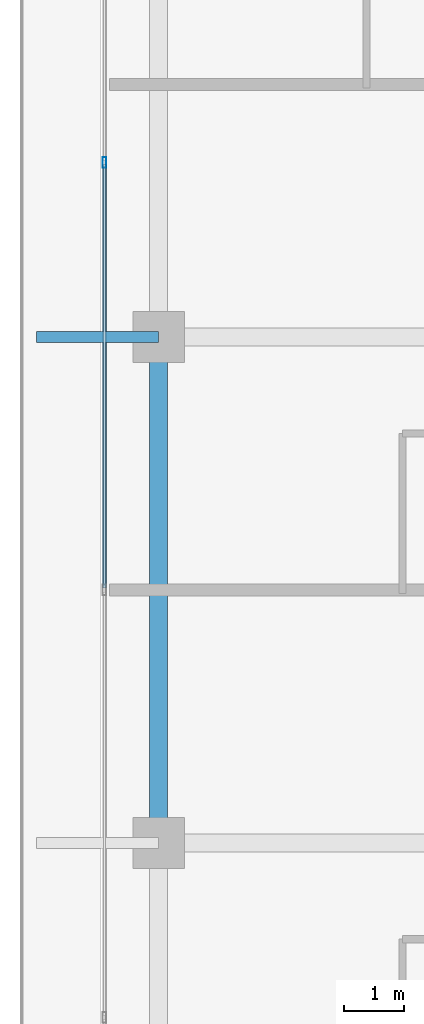
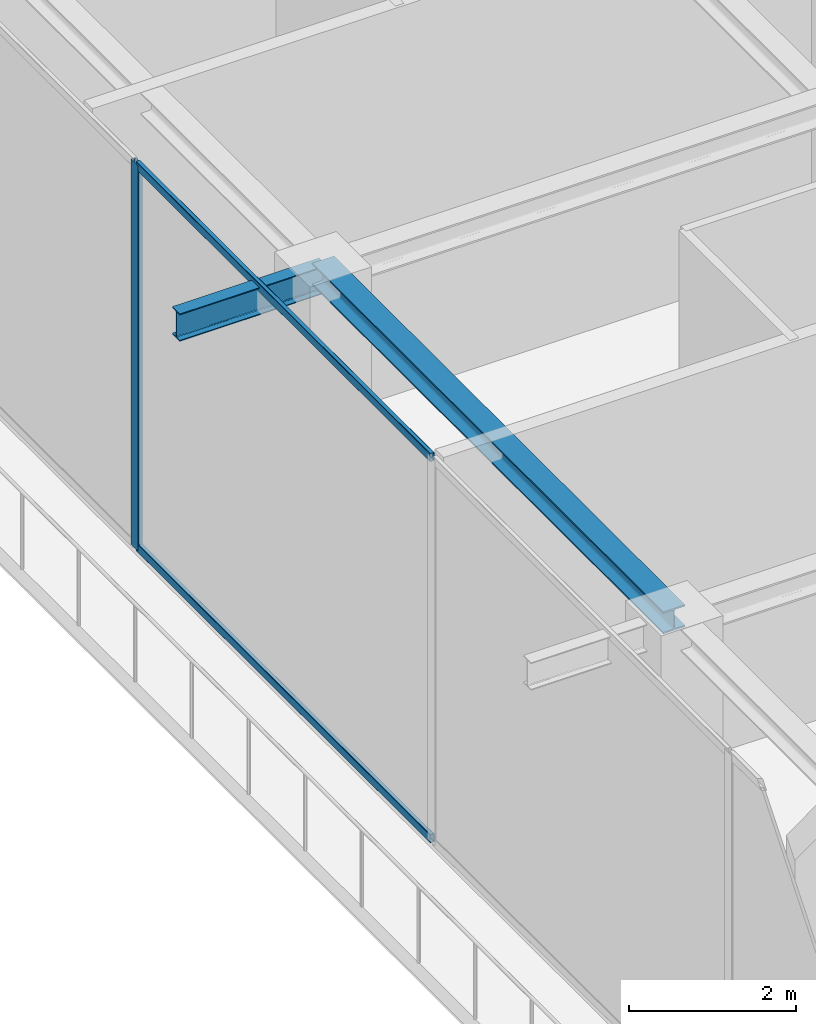
# One storey, part 9 of 38: 3 members, 2 beams, 1 element without a shape of its own.
"""IFC4 building model written with IfcOpenShell, lengths in metres."""

import ifcopenshell
import ifcopenshell.guid

model = None  # the IFC model being written
_history = None  # IfcOwnerHistory: only IFC2X3 demands one
_inside = {}  # id of a spatial element -> (the spatial element, [elements in it])
_under = {}  # id of a project, library or spatial element -> (it, [spatial elements below it])
_declared = {}  # id of a project -> (the project, [libraries it declares])
_typed = {}  # id of a type object -> (the type object, [elements of that type])
_made_of = {}  # id of a material, layer set ... -> (it, [elements and type objects made of it])


def new_model(schema):
    """Start an empty IFC model of exactly this schema.

    Asked for "IFC4X3", IfcOpenShell would pick the latest addendum, in which some entities
    have other attributes; the version numbers below select the first issue.
    IFC2X3 requires an IfcOwnerHistory on every rooted entity: one is made here for all.
    """
    global model, _history
    if schema == "IFC4X3":
        model = ifcopenshell.file(schema_version=(4, 3, 0, 0))
    else:
        model = ifcopenshell.file(schema=schema)
    _inside.clear()
    _under.clear()
    _declared.clear()
    _typed.clear()
    _made_of.clear()
    _history = None
    if model.schema == "IFC2X3":
        org = make("IfcOrganization", Name="unknown")
        user = make(
            "IfcPersonAndOrganization",
            ThePerson=make("IfcPerson", FamilyName="unknown"),
            TheOrganization=org,
        )
        app = make(
            "IfcApplication",
            ApplicationDeveloper=org,
            Version="unknown",
            ApplicationFullName="unknown",
            ApplicationIdentifier="unknown",
        )
        _history = make(
            "IfcOwnerHistory",
            OwningUser=user,
            OwningApplication=app,
            ChangeAction="ADDED",
            CreationDate=0,
        )
    return model


def make(cls, **values):
    """One entity of the class cls with the attributes given. An attribute that is None is left unset."""
    return model.create_entity(
        cls, **{name: value for name, value in values.items() if value is not None}
    )


def rooted(cls, **values):
    """An entity with a GlobalId (a new one), such as an element, a storey or a relation."""
    return make(cls, GlobalId=ifcopenshell.guid.new(), OwnerHistory=_history, **values)


def si_unit(unit_type, name, prefix=None):
    """IfcSIUnit, for example si_unit("LENGTHUNIT", "METRE", prefix="MILLI")."""
    return make("IfcSIUnit", UnitType=unit_type, Prefix=prefix, Name=name)


def assignment(units):
    """IfcUnitAssignment: the units of a project."""
    return None if units is None else make("IfcUnitAssignment", Units=units)


def point(xyz):
    """IfcCartesianPoint."""
    return None if xyz is None else make("IfcCartesianPoint", Coordinates=xyz)


def direction(xyz):
    """IfcDirection."""
    return None if xyz is None else make("IfcDirection", DirectionRatios=xyz)


def frame(location, z_axis=None, x_axis=None):
    """IfcAxis2Placement3D, a coordinate frame: its origin and axes. An axis left out is left unset."""
    return make(
        "IfcAxis2Placement3D",
        Location=point(location),
        Axis=direction(z_axis),
        RefDirection=direction(x_axis),
    )


def frame_2d(location, x_axis=None):
    """IfcAxis2Placement2D, a coordinate frame in the plane: its origin and x axis."""
    return make(
        "IfcAxis2Placement2D", Location=point(location), RefDirection=direction(x_axis)
    )


def origin():
    """The frame at (0, 0, 0) with its axes left unset."""
    return frame((0.0, 0.0, 0.0))


def origin_2d():
    """The frame at (0, 0) in the plane with its x axis left unset."""
    return frame_2d((0.0, 0.0))


def place(relative_to, where):
    """IfcLocalPlacement: puts the frame where relative to a parent placement (None: the world)."""
    return make(
        "IfcLocalPlacement", PlacementRelTo=relative_to, RelativePlacement=where
    )


def context(
    kind, dimensions, precision=None, world=None, true_north=None, identifier=None
):
    """IfcGeometricRepresentationContext, for example the 3D "Model" context."""
    return make(
        "IfcGeometricRepresentationContext",
        ContextIdentifier=identifier,
        ContextType=kind,
        CoordinateSpaceDimension=dimensions,
        Precision=precision,
        WorldCoordinateSystem=world,
        TrueNorth=true_north,
    )


def subcontext(parent, identifier, kind, view, scale=None):
    """IfcGeometricRepresentationSubContext, for example "Body" below "Model"."""
    return make(
        "IfcGeometricRepresentationSubContext",
        ContextIdentifier=identifier,
        ContextType=kind,
        ParentContext=parent,
        TargetScale=scale,
        TargetView=view,
    )


def project(units=None, contexts=None):
    """IfcProject with its units and contexts."""
    return rooted(
        "IfcProject",
        Name="project",
        RepresentationContexts=contexts,
        UnitsInContext=assignment(units),
    )


def spatial(cls, under=None, at=None, **own):
    """A site, building, storey or space (cls), placed at a placement, below another one or the project."""
    s = rooted(cls, ObjectPlacement=at, **own)
    if under is not None:
        _under.setdefault(under.id(), (under, []))[1].append(s)
    return s


def profile(cls, at=None, kind="AREA", **sizes):
    """A parametric profile (cls). Its sizes go by their IFC names, for example OverallWidth=200.0."""
    return make(cls, ProfileType=kind, Position=at, **sizes)


def hollow_rectangle(**sizes):
    """IfcRectangleHollowProfileDef."""
    return profile("IfcRectangleHollowProfileDef", **sizes)


def i_section(**sizes):
    """IfcIShapeProfileDef."""
    return profile("IfcIShapeProfileDef", **sizes)


def extrude(swept, where, along, depth):
    """IfcExtrudedAreaSolid: the profile swept, set in the frame where, extruded along a direction by depth."""
    return make(
        "IfcExtrudedAreaSolid",
        SweptArea=swept,
        Position=where,
        ExtrudedDirection=direction(along),
        Depth=depth,
    )


def shape(context_of_items, identifier, shape_type, items):
    """IfcShapeRepresentation: the items that make up one representation, for example the "Body"."""
    return make(
        "IfcShapeRepresentation",
        ContextOfItems=context_of_items,
        RepresentationIdentifier=identifier,
        RepresentationType=shape_type,
        Items=items,
    )


def source(mapping_origin, context_of_items, identifier, shape_type, items):
    """IfcRepresentationMap: a shape defined once, which mapped items show again and again."""
    return make(
        "IfcRepresentationMap",
        MappingOrigin=mapping_origin,
        MappedRepresentation=shape(context_of_items, identifier, shape_type, items),
    )


def transform(
    local_origin,
    x_axis=None,
    y_axis=None,
    z_axis=None,
    scale=None,
    scale2=None,
    scale3=None,
    uniform=True,
):
    """IfcCartesianTransformationOperator3D, or its non-uniform kind. x_axis, y_axis, z_axis: its Axis1, 2, 3."""
    if uniform:
        return make(
            "IfcCartesianTransformationOperator3D",
            Axis1=direction(x_axis),
            Axis2=direction(y_axis),
            LocalOrigin=point(local_origin),
            Scale=scale,
            Axis3=direction(z_axis),
        )
    return make(
        "IfcCartesianTransformationOperator3DnonUniform",
        Axis1=direction(x_axis),
        Axis2=direction(y_axis),
        LocalOrigin=point(local_origin),
        Scale=scale,
        Axis3=direction(z_axis),
        Scale2=scale2,
        Scale3=scale3,
    )


def mapped(mapping_source, mapping_target):
    """IfcMappedItem: shows the shape of a source again, moved by a transform."""
    return make(
        "IfcMappedItem", MappingSource=mapping_source, MappingTarget=mapping_target
    )


def material(Name=None, Category=None):
    """IfcMaterial."""
    return make("IfcMaterial", Name=Name, Category=Category)


def layer(
    of_material, thickness, ventilated=None, Name=None, Category=None, Priority=None
):
    """IfcMaterialLayer: one layer of a wall or slab, of a material (None: an air gap)."""
    return make(
        "IfcMaterialLayer",
        Material=of_material,
        LayerThickness=thickness,
        IsVentilated=ventilated,
        Name=Name,
        Category=Category,
        Priority=Priority,
    )


def layer_set(layers, Name=None):
    """IfcMaterialLayerSet."""
    return make("IfcMaterialLayerSet", MaterialLayers=layers, LayerSetName=Name)


def material_profile(
    of_material, cross_section, Name=None, Category=None, Priority=None
):
    """IfcMaterialProfile: a cross section and its material."""
    return make(
        "IfcMaterialProfile",
        Name=Name,
        Material=of_material,
        Profile=cross_section,
        Priority=Priority,
        Category=Category,
    )


def profile_set(profiles, Name=None, composite=None):
    """IfcMaterialProfileSet."""
    return make(
        "IfcMaterialProfileSet",
        Name=Name,
        MaterialProfiles=profiles,
        CompositeProfile=composite,
    )


def made_of(thing, what):
    """Note that an element or type object is made of a material, layer set ...; save() writes the relation."""
    if what is not None:
        _made_of.setdefault(what.id(), (what, []))[1].append(thing)
    return thing


def type_object(cls, material=None, **own):
    """A type object (cls), such as IfcWallType, which elements share."""
    return made_of(rooted(cls, **own), material)


def element(
    cls,
    number,
    at=None,
    inside=None,
    cuts=None,
    type_object=None,
    material=None,
    context=None,
    identifier="Body",
    shape_type=None,
    held_by="IfcProductDefinitionShape",
    body=None,
    shapes=None,
    **own,
):
    """One element of the class cls, such as IfcWall. Its Tag is "e" and its number.

    at: its placement. inside: the storey or other place that contains it. cuts: it is an
    opening in that element (IfcRelVoidsElement). A single representation is given by context,
    identifier, shape_type and body (its items); several are given by shapes. held_by: the class
    of the entity that holds the representations. save() writes the other relations.
    """
    e = rooted(cls, Tag="e%d" % number, ObjectPlacement=at, **own)
    if body is not None:
        shapes = [shape(context, identifier, shape_type, body)]
    if shapes is not None:
        e.Representation = make(held_by, Representations=shapes)
    if inside is not None:
        _inside.setdefault(inside.id(), (inside, []))[1].append(e)
    if cuts is not None:
        rooted(
            "IfcRelVoidsElement", RelatingBuildingElement=cuts, RelatedOpeningElement=e
        )
    if type_object is not None:
        _typed.setdefault(type_object.id(), (type_object, []))[1].append(e)
    return made_of(e, material)


def aggregate(whole, parts):
    """IfcRelAggregates: a whole, such as a stair, and the parts it consists of."""
    return rooted("IfcRelAggregates", RelatingObject=whole, RelatedObjects=parts)


def save(model, path):
    """Write the relations noted so far, then the file.

    IfcRelAggregates (storeys below a building ...), IfcRelContainedInSpatialStructure (elements
    in a storey), IfcRelDefinesByType, IfcRelAssociatesMaterial and IfcRelDeclares: one each for
    every whole, place, type object, material and project.
    """
    for whole, parts in _under.values():
        aggregate(whole, parts)
    for where, things in _inside.values():
        rooted(
            "IfcRelContainedInSpatialStructure",
            RelatedElements=things,
            RelatingStructure=where,
        )
    for kind, things in _typed.values():
        rooted("IfcRelDefinesByType", RelatedObjects=things, RelatingType=kind)
    for what, things in _made_of.values():
        rooted("IfcRelAssociatesMaterial", RelatedObjects=things, RelatingMaterial=what)
    for by, libraries in _declared.values():
        rooted("IfcRelDeclares", RelatingContext=by, RelatedDefinitions=libraries)
    model.write(path)


model = new_model("IFC4")

# Units and contexts
model_context = context("Model", 3, precision=1e-05, world=origin(), true_north=direction((0.0, 1.0)))
body_context = subcontext(model_context, "Body", "Model", "MODEL_VIEW")
ifc_project = project(units=[si_unit("LENGTHUNIT", "METRE"), si_unit("AREAUNIT", "SQUARE_METRE"), si_unit("VOLUMEUNIT", "CUBIC_METRE"), si_unit("PLANEANGLEUNIT", "RADIAN"), si_unit("MASSUNIT", "GRAM", prefix="KILO")], contexts=[model_context])

# Site, building, storey
site_placement = place(None, origin())
site = spatial("IfcSite", under=ifc_project, at=site_placement, CompositionType="ELEMENT")
building_placement = place(site_placement, origin())
building = spatial("IfcBuilding", under=site, at=building_placement, Name="Serunith Strait Residences", CompositionType="ELEMENT")
storey_placement = place(building_placement, frame((0.0, 0.0, 342.050048828125)))
storey = spatial("IfcBuildingStorey", under=building, at=storey_placement, Name="L85", CompositionType="ELEMENT", Elevation=342.050048828125)

# Beams
ifc_material_1 = material(Name="Steel S355J2", Category="steel")
ifc_material_profile_1 = material_profile(ifc_material_1, i_section(OverallWidth=0.300048828125, OverallDepth=0.320068359375, WebThickness=0.011474609375, FlangeThickness=0.0205078125, FilletRadius=0.027099609375, at=origin_2d()), Name="HEB 320")
ifc_profile_set_1 = profile_set([ifc_material_profile_1], Name="Steel S355J2")
beam_type_1 = type_object("IfcBeamType", Name="BM-HEB320", PredefinedType="BEAM", material=ifc_profile_set_1)
shared_shape_1 = source(origin(), body_context, "Body", "SweptSolid", [
    extrude(i_section(OverallWidth=0.300048828125, OverallDepth=0.320068359375, WebThickness=0.011474609375, FlangeThickness=0.0205078125, FilletRadius=0.027099609375, at=origin_2d()), origin(), (0.0, 0.0, 1.0), 8.39990234375),
])
beam_1_placement = place(storey_placement, frame((11.699951171875, 29.39990234375, 5.47705078125), z_axis=(0.0, -1.0, 0.0), x_axis=(1.0, 0.0, 0.0)))
element("IfcBeam", 1, at=beam_1_placement, inside=storey, type_object=beam_type_1, Name="L85 Perimeter Ring Beam 14", PredefinedType="BEAM", context=body_context, shape_type="MappedRepresentation", body=[
    mapped(shared_shape_1, transform((0.0, 0.0, 0.0), scale=1.0)),
])
ifc_material_profile_2 = material_profile(ifc_material_1, i_section(OverallWidth=0.179931640625, OverallDepth=0.39990234375, WebThickness=0.008544921875, FlangeThickness=0.013427734375, FilletRadius=0.02099609375, at=origin_2d()), Name="IPE 400")
ifc_profile_set_2 = profile_set([ifc_material_profile_2], Name="Steel S355J2")
beam_type_2 = type_object("IfcBeamType", Name="BM-IPE400", PredefinedType="JOIST", material=ifc_profile_set_2)
shared_shape_2 = source(origin(), body_context, "Body", "SweptSolid", [
    extrude(i_section(OverallWidth=0.179931640625, OverallDepth=0.39990234375, WebThickness=0.008544921875, FlangeThickness=0.013427734375, FilletRadius=0.02099609375, at=origin_2d()), origin(), (0.0, 0.0, 1.0), 2.030029296875),
])
beam_2_placement = place(storey_placement, frame((11.699951171875, 29.39990234375, 5.406982421875), z_axis=(-1.0, 0.0, 0.0), x_axis=(0.0, -1.0, 0.0)))
element("IfcBeam", 2, at=beam_2_placement, inside=storey, type_object=beam_type_2, Name="L86 Cantilevered Balcony Rib TC-W3", PredefinedType="JOIST", context=body_context, shape_type="MappedRepresentation", body=[
    mapped(shared_shape_2, transform((0.0, 0.0, 0.0), scale=1.0)),
])

# Curtain wall, members
ifc_material_2 = material(Name="Brushed Stainless-Silver Aluminium", Category="aluminium")
ifc_layer = layer(ifc_material_2, 0.199951171875, Name="Brushed Stainless-Silver Aluminium")
ifc_layer_set = layer_set([ifc_layer], Name="Brushed Stainless-Silver Aluminium")
curtain_wall_type = type_object("IfcCurtainWallType", Name="CW-SYS5", PredefinedType="NOTDEFINED", material=ifc_layer_set)
curtain_wall_placement = place(storey_placement, origin())
curtain_wall = element("IfcCurtainWall", 3, at=curtain_wall_placement, inside=storey, type_object=curtain_wall_type, Name="L85 W Unitised Fritted Curtain Wall", PredefinedType="NOTDEFINED")
ifc_material_profile_3 = material_profile(ifc_material_2, hollow_rectangle(XDim=0.06005859375, YDim=0.1201171875, WallThickness=0.00341796875, InnerFilletRadius=0.00537109375, OuterFilletRadius=0.0087890625, at=origin_2d()), Name="ALU 120x60x3.5")
ifc_profile_set_3 = profile_set([ifc_material_profile_3], Name="Brushed Stainless-Silver Aluminium")
member_type_1 = type_object("IfcMemberType", Name="CW-SYS5-TRAN", PredefinedType="USERDEFINED", material=ifc_profile_set_3)
shared_shape_3 = source(origin(), body_context, "Body", "SweptSolid", [
    extrude(hollow_rectangle(XDim=0.06005859375, YDim=0.1201171875, WallThickness=0.00341796875, InnerFilletRadius=0.00537109375, OuterFilletRadius=0.0087890625, at=origin_2d()), origin(), (0.0, 0.0, 1.0), 7.03515625),
])
member_1_placement = place(storey_placement, frame((10.800048828125, 32.267578125, 0.030029296875), z_axis=(0.0, -1.0, 0.0), x_axis=(1.0, 0.0, 0.0)))
member_1 = element("IfcMember", 4, at=member_1_placement, type_object=member_type_1, Name="CW-5 transom 2.1", ObjectType="TRANSOM", PredefinedType="USERDEFINED", context=body_context, shape_type="MappedRepresentation", body=[
    mapped(shared_shape_3, transform((0.0, 0.0, 0.0), scale=1.0)),
])
member_2_placement = place(storey_placement, frame((10.800048828125, 32.267578125, 5.594970703125), z_axis=(0.0, -1.0, 0.0), x_axis=(1.0, 0.0, 0.0)))
member_2 = element("IfcMember", 5, at=member_2_placement, type_object=member_type_1, Name="CW-5 transom 2.2", ObjectType="TRANSOM", PredefinedType="USERDEFINED", context=body_context, shape_type="MappedRepresentation", body=[
    mapped(shared_shape_3, transform((0.0, 0.0, 0.0), scale=1.0)),
])
ifc_material_profile_4 = material_profile(ifc_material_2, hollow_rectangle(XDim=0.06494140625, YDim=0.179931640625, WallThickness=0.00341796875, InnerFilletRadius=0.00537109375, OuterFilletRadius=0.0087890625, at=origin_2d()), Name="ALU 180x65x3.5")
ifc_profile_set_4 = profile_set([ifc_material_profile_4], Name="Brushed Stainless-Silver Aluminium")
member_type_2 = type_object("IfcMemberType", Name="CW-SYS5-MULL", PredefinedType="MULLION", material=ifc_profile_set_4)
shared_shape_4 = source(origin(), body_context, "Body", "SweptSolid", [
    extrude(hollow_rectangle(XDim=0.06494140625, YDim=0.179931640625, WallThickness=0.00341796875, InnerFilletRadius=0.00537109375, OuterFilletRadius=0.0087890625, at=origin_2d()), origin(), (0.0, 0.0, 1.0), 5.625),
])
member_3_placement = place(storey_placement, frame((10.800048828125, 32.300048828125, 0.0), z_axis=(0.0, 0.0, 1.0), x_axis=(1.0, 0.0, 0.0)))
member_3 = element("IfcMember", 6, at=member_3_placement, type_object=member_type_2, Name="CW-5 mullion 2", PredefinedType="MULLION", context=body_context, shape_type="MappedRepresentation", body=[
    mapped(shared_shape_4, transform((0.0, 0.0, 0.0), scale=1.0)),
])
aggregate(curtain_wall, [member_3, member_1, member_2])

save(model, "model.ifc")
